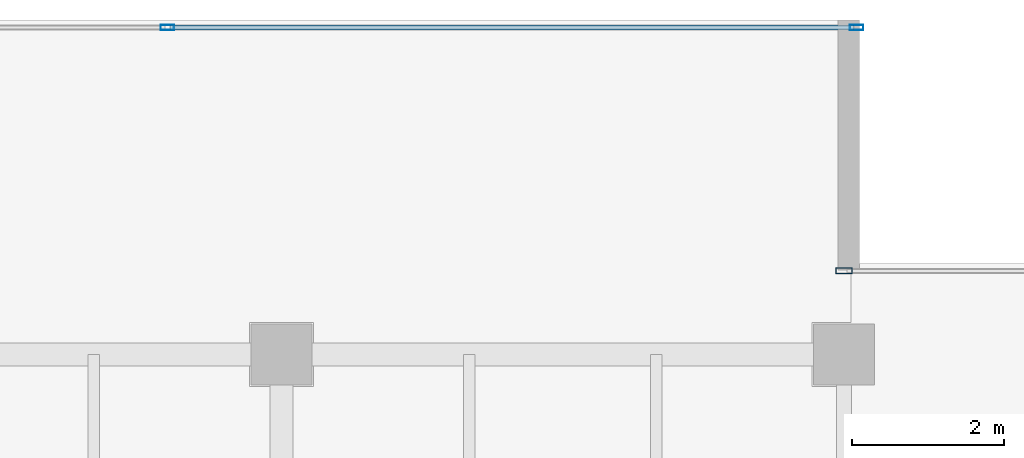
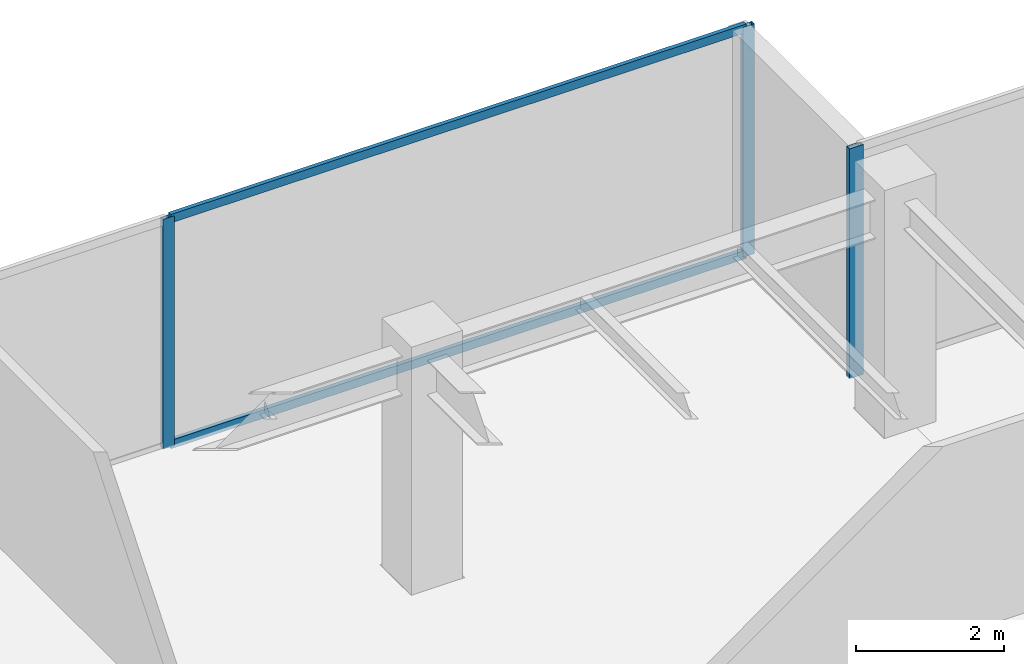
# One storey, part 21 of 35: 5 members, 2 elements without a shape of their own.
"""IFC4 building model written with IfcOpenShell, lengths in metres."""

from ifc_helpers import new_model, si_unit, direction, frame, origin, origin_2d, place, context, subcontext, project, spatial, hollow_rectangle, extrude, source, transform, mapped, material, layer, layer_set, material_profile, profile_set, type_object, type_shapes, element, aggregate, save


model = new_model("IFC4")

# Units and contexts
model_context = context("Model", 3, precision=1e-05, world=origin(), true_north=direction((0.0, 1.0)))
body_context = subcontext(model_context, "Body", "Model", "MODEL_VIEW")
ifc_project = project(units=[si_unit("LENGTHUNIT", "METRE"), si_unit("AREAUNIT", "SQUARE_METRE"), si_unit("VOLUMEUNIT", "CUBIC_METRE"), si_unit("PLANEANGLEUNIT", "RADIAN"), si_unit("MASSUNIT", "GRAM", prefix="KILO")], contexts=[model_context])

# Site, building, storey
site_placement = place(None, origin())
site = spatial("IfcSite", under=ifc_project, at=site_placement, CompositionType="ELEMENT")
building_placement = place(site_placement, origin())
building = spatial("IfcBuilding", under=site, at=building_placement, Name="Haelvirn Gate Laboratories", CompositionType="ELEMENT")
storey_placement = place(building_placement, frame((0.0, 0.0, 226.0)))
storey = spatial("IfcBuildingStorey", under=building, at=storey_placement, Name="L54", CompositionType="ELEMENT", Elevation=226.0)

# Curtain wall, members
ifc_material_1 = material(Name="Anodised bronze unitised aluminium & triple low-E glass", Category="aluminium")
ifc_layer_1 = layer(ifc_material_1, 0.176025390625, Name="CW-SYS-4")
ifc_layer_set_1 = layer_set([ifc_layer_1], Name="Anodised bronze unitised aluminium & triple low-E glass")
curtain_wall_type_1 = type_object("IfcCurtainWallType", Name="CW-SYS-4", PredefinedType="NOTDEFINED", material=ifc_layer_set_1)
curtain_wall_1_placement = place(storey_placement, origin())
curtain_wall_1 = element("IfcCurtainWall", 1, at=curtain_wall_1_placement, inside=storey, type_object=curtain_wall_type_1, Name="L54 Unitised Curtain Wall CW-L54-P0-E10-1", PredefinedType="NOTDEFINED")
ifc_material_2 = material(Name="Extruded aluminium 6063-T6 (anodised bronze)", Category="aluminium")
ifc_material_profile_1 = material_profile(ifc_material_2, hollow_rectangle(XDim=0.06494140625, YDim=0.139892578125, WallThickness=0.00390625, at=origin_2d()), Name="CWT-140x65x4")
ifc_profile_set_1 = profile_set([ifc_material_profile_1], Name="Extruded aluminium 6063-T6 (anodised bronze)")
member_type_1 = type_object("IfcMemberType", Name="CWT-T140", PredefinedType="USERDEFINED", material=ifc_profile_set_1)
shared_shape_1 = source(origin(), body_context, "Body", "SweptSolid", [
    extrude(hollow_rectangle(XDim=0.06494140625, YDim=0.139892578125, WallThickness=0.00390625, at=origin_2d()), origin(), (0.0, 0.0, 1.0), 8.9951171875),
])
type_shapes(member_type_1, [shared_shape_1])
member_1_placement = place(storey_placement, frame((58.534912109375, 45.89990234375, 0.032470703125), z_axis=(1.0, 0.0, 0.0), x_axis=(0.0, 1.0, 0.0)))
member_1 = element("IfcMember", 2, at=member_1_placement, type_object=member_type_1, Name="CW4 transom 2.1", ObjectType="TRANSOM", PredefinedType="USERDEFINED", context=body_context, shape_type="MappedRepresentation", body=[
    mapped(shared_shape_1, transform((0.0, 0.0, 0.0), scale=1.0)),
])
member_2_placement = place(storey_placement, frame((58.534912109375, 45.89990234375, 3.767578125), z_axis=(1.0, 0.0, 0.0), x_axis=(0.0, 1.0, 0.0)))
member_2 = element("IfcMember", 3, at=member_2_placement, type_object=member_type_1, Name="CW4 transom 2.2", ObjectType="TRANSOM", PredefinedType="USERDEFINED", context=body_context, shape_type="MappedRepresentation", body=[
    mapped(shared_shape_1, transform((0.0, 0.0, 0.0), scale=1.0)),
])
ifc_material_profile_2 = material_profile(ifc_material_2, hollow_rectangle(XDim=0.070068359375, YDim=0.179931640625, WallThickness=0.0048828125, at=origin_2d()), Name="CWM-180x70x5")
ifc_profile_set_2 = profile_set([ifc_material_profile_2], Name="Extruded aluminium 6063-T6 (anodised bronze)")
member_type_2 = type_object("IfcMemberType", Name="CWM-T180", PredefinedType="MULLION", material=ifc_profile_set_2)
shared_shape_2 = source(origin(), body_context, "Body", "SweptSolid", [
    extrude(hollow_rectangle(XDim=0.070068359375, YDim=0.179931640625, WallThickness=0.0048828125, at=origin_2d()), origin(), (0.0, 0.0, 1.0), 3.800048828125),
])
type_shapes(member_type_2, [shared_shape_2])
member_3_placement = place(storey_placement, frame((58.5, 45.89990234375, 0.0), z_axis=(0.0, 0.0, 1.0), x_axis=(0.0, 1.0, 0.0)))
member_3 = element("IfcMember", 4, at=member_3_placement, type_object=member_type_2, Name="CW4 mullion 2", PredefinedType="MULLION", context=body_context, shape_type="MappedRepresentation", body=[
    mapped(shared_shape_2, transform((0.0, 0.0, 0.0), scale=1.0)),
])
member_4_placement = place(storey_placement, frame((67.56494140625, 45.89990234375, 0.0), z_axis=(0.0, 0.0, 1.0), x_axis=(0.0, 1.0, 0.0)))
member_4 = element("IfcMember", 5, at=member_4_placement, type_object=member_type_2, Name="CW4 mullion 3", PredefinedType="MULLION", context=body_context, shape_type="MappedRepresentation", body=[
    mapped(shared_shape_2, transform((0.0, 0.0, 0.0), scale=1.0)),
])
aggregate(curtain_wall_1, [member_3, member_4, member_1, member_2])

# Curtain wall, member
ifc_layer_2 = layer(ifc_material_1, 0.181884765625, Name="CW-SYS-5")
ifc_layer_set_2 = layer_set([ifc_layer_2], Name="Anodised bronze unitised aluminium & triple low-E glass")
curtain_wall_type_2 = type_object("IfcCurtainWallType", Name="CW-SYS-5", PredefinedType="NOTDEFINED", material=ifc_layer_set_2)
curtain_wall_2_placement = place(storey_placement, origin())
curtain_wall_2 = element("IfcCurtainWall", 6, at=curtain_wall_2_placement, inside=storey, type_object=curtain_wall_type_2, Name="L54 Unitised Curtain Wall CW-L54-P0-E08-1", PredefinedType="NOTDEFINED")
ifc_material_profile_3 = material_profile(ifc_material_2, hollow_rectangle(XDim=0.080078125, YDim=0.219970703125, WallThickness=0.006103515625, at=origin_2d()), Name="CWM-220x80x6")
ifc_profile_set_3 = profile_set([ifc_material_profile_3], Name="Extruded aluminium 6063-T6 (anodised bronze)")
member_type_3 = type_object("IfcMemberType", Name="CWM-T220", PredefinedType="MULLION", material=ifc_profile_set_3)
shared_shape_3 = source(origin(), body_context, "Body", "SweptSolid", [
    extrude(hollow_rectangle(XDim=0.080078125, YDim=0.219970703125, WallThickness=0.006103515625, at=origin_2d()), origin(), (0.0, 0.0, 1.0), 3.800048828125),
])
type_shapes(member_type_3, [shared_shape_3])
member_5_placement = place(storey_placement, frame((67.39990234375, 42.699951171875, 0.0), z_axis=(0.0, 0.0, 1.0), x_axis=(0.0, 1.0, 0.0)))
member_5 = element("IfcMember", 7, at=member_5_placement, type_object=member_type_3, Name="CW5 mullion 1", PredefinedType="MULLION", context=body_context, shape_type="MappedRepresentation", body=[
    mapped(shared_shape_3, transform((0.0, 0.0, 0.0), scale=1.0)),
])
aggregate(curtain_wall_2, [member_5])

save(model, "model.ifc")
